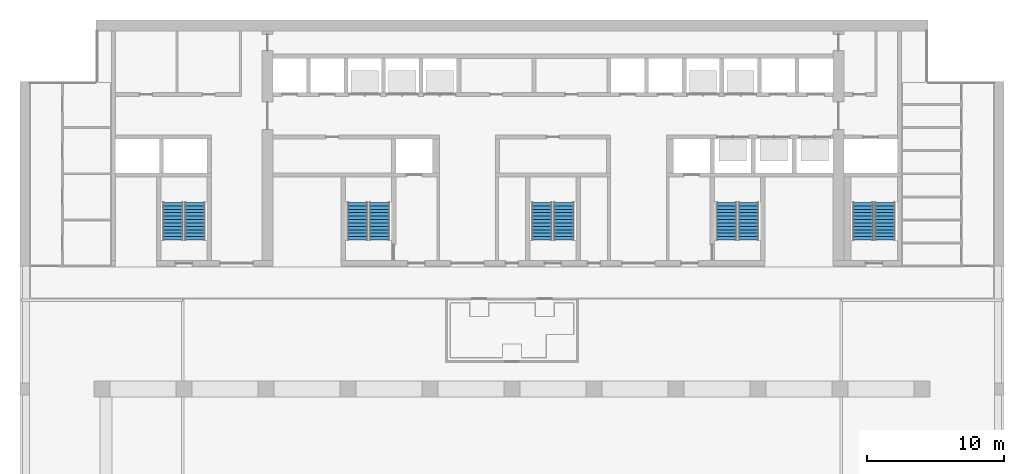
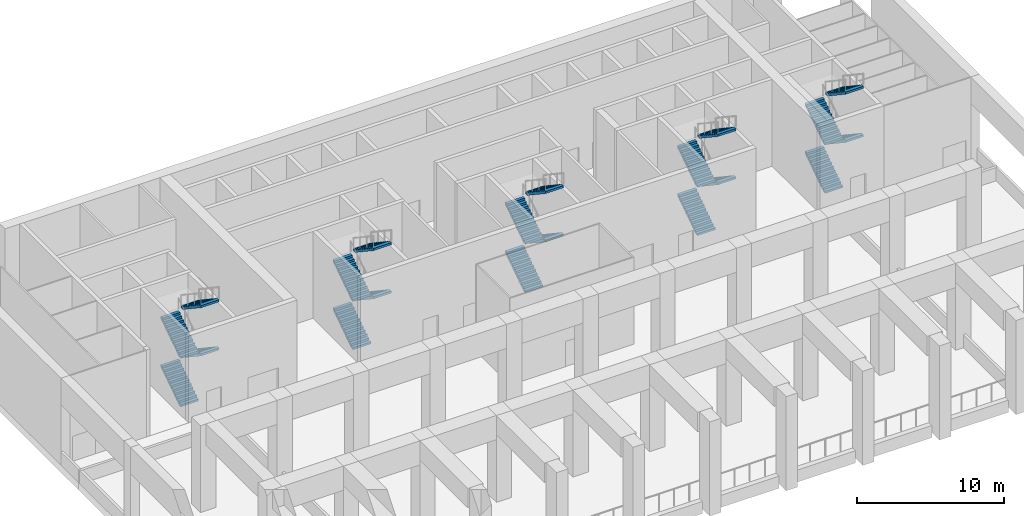
# One storey, part 6 of 10: 20 stair flights, 5 elements without a shape of their own.
"""IFC4 building model written with IfcOpenShell, lengths in metres."""

from ifc_helpers import new_model, si_unit, direction, frame, origin, place, context, subcontext, project, spatial, polyline, outline, extrude, material, type_object, element, aggregate, save


model = new_model("IFC4")

# Units and contexts
model_context = context("Model", 3, precision=1e-05, world=origin(), true_north=direction((0.0, 1.0)))
body_context = subcontext(model_context, "Body", "Model", "MODEL_VIEW")
ifc_project = project(units=[si_unit("LENGTHUNIT", "METRE"), si_unit("AREAUNIT", "SQUARE_METRE"), si_unit("VOLUMEUNIT", "CUBIC_METRE"), si_unit("PLANEANGLEUNIT", "RADIAN"), si_unit("MASSUNIT", "GRAM", prefix="KILO")], contexts=[model_context])

# Site, building, storey
site_placement = place(None, origin())
site = spatial("IfcSite", under=ifc_project, at=site_placement, CompositionType="ELEMENT")
building_placement = place(site_placement, origin())
building = spatial("IfcBuilding", under=site, at=building_placement, Name="Calvaro Tower", CompositionType="ELEMENT")
storey_placement = place(building_placement, frame((0.0, 0.0, 158.75)))
storey = spatial("IfcBuildingStorey", under=building, at=storey_placement, Name="L40", CompositionType="ELEMENT", Elevation=158.75)

# Stair, stair flights
ifc_material_1 = material(Name="Concrete C40/50", Category="concrete")
stair_type = type_object("IfcStairType", Name="Exit stair 1400 4 flights", PredefinedType="DOUBLE_RETURN_STAIR", material=ifc_material_1)
stair_1_placement = place(storey_placement, origin())
stair_1 = element("IfcStair", 1, at=stair_1_placement, inside=storey, type_object=stair_type, Name="Exit stair S1", PredefinedType="DOUBLE_RETURN_STAIR")
ifc_material_2 = material(Name="Concrete C40/50", Category="concrete")
stair_flight_type = type_object("IfcStairFlightType", Name="Stair flight", PredefinedType="STRAIGHT", material=ifc_material_2)
stair_flight_1_placement = place(storey_placement, frame((11.199951171875, 29.89990234375, 0.0), z_axis=(0.0, 0.0, 1.0), x_axis=(0.0, 1.0, 0.0)))
stair_flight_1 = element("IfcStairFlight", 2, at=stair_flight_1_placement, type_object=stair_flight_type, Name="Exit stair 1, flight 1", NumberOfRisers=12, NumberOfTreads=11, PredefinedType="STRAIGHT", RiserHeight=0.166666667, TreadLength=0.25, context=body_context, shape_type="SweptSolid", body=[
    extrude(outline(polyline([(0.0, 0.0), (0.0, 0.166748046875), (0.25, 0.166748046875), (0.25, 0.333251953125), (0.5, 0.333251953125), (0.5, 0.5), (0.75, 0.5), (0.75, 0.666748046875), (1.0, 0.666748046875), (1.0, 0.833251953125), (1.25, 0.833251953125), (1.25, 1.0), (1.5, 1.0), (1.5, 1.166748046875), (1.75, 1.166748046875), (1.75, 1.333251953125), (2.0, 1.333251953125), (2.0, 1.5), (2.25, 1.5), (2.25, 1.666748046875), (2.5, 1.666748046875), (2.5, 1.833251953125), (2.75, 1.833251953125), (2.75, 2.0), (2.75, 1.653076171875), (0.270263671875, 0.0), (0.0, 0.0)])), frame((0.0, 0.699951171875, 0.0), z_axis=(0.0, -1.0, 0.0), x_axis=(1.0, 0.0, 0.0)), (0.0, 0.0, 1.0), 1.39990234375),
])
stair_flight_2_placement = place(storey_placement, frame((12.800048828125, 32.64990234375, 2.0), z_axis=(0.0, 0.0, 1.0), x_axis=(0.0, -1.0, 0.0)))
stair_flight_2 = element("IfcStairFlight", 3, at=stair_flight_2_placement, type_object=stair_flight_type, Name="Exit stair 1, flight 2", NumberOfRisers=12, NumberOfTreads=11, PredefinedType="STRAIGHT", RiserHeight=0.166666667, TreadLength=0.25, context=body_context, shape_type="SweptSolid", body=[
    extrude(outline(polyline([(0.0, 0.0), (0.0, 0.166748046875), (0.25, 0.166748046875), (0.25, 0.333251953125), (0.5, 0.333251953125), (0.5, 0.5), (0.75, 0.5), (0.75, 0.666748046875), (1.0, 0.666748046875), (1.0, 0.833251953125), (1.25, 0.833251953125), (1.25, 1.0), (1.5, 1.0), (1.5, 1.166748046875), (1.75, 1.166748046875), (1.75, 1.333251953125), (2.0, 1.333251953125), (2.0, 1.5), (2.25, 1.5), (2.25, 1.666748046875), (2.5, 1.666748046875), (2.5, 1.833251953125), (2.75, 1.833251953125), (2.75, 2.0), (2.75, 1.653076171875), (0.270263671875, 0.0), (0.0, 0.0)])), frame((0.0, 0.699951171875, 0.0), z_axis=(0.0, -1.0, 0.0), x_axis=(1.0, 0.0, 0.0)), (0.0, 0.0, 1.0), 1.39990234375),
])
stair_flight_3_placement = place(storey_placement, frame((11.199951171875, 29.89990234375, 4.0), z_axis=(0.0, 0.0, 1.0), x_axis=(0.0, 1.0, 0.0)))
stair_flight_3 = element("IfcStairFlight", 4, at=stair_flight_3_placement, type_object=stair_flight_type, Name="Exit stair 1, flight 3", NumberOfRisers=12, NumberOfTreads=11, PredefinedType="STRAIGHT", RiserHeight=0.166666667, TreadLength=0.25, context=body_context, shape_type="SweptSolid", body=[
    extrude(outline(polyline([(0.0, 0.0), (0.0, 0.166748046875), (0.25, 0.166748046875), (0.25, 0.333251953125), (0.5, 0.333251953125), (0.5, 0.5), (0.75, 0.5), (0.75, 0.666748046875), (1.0, 0.666748046875), (1.0, 0.833251953125), (1.25, 0.833251953125), (1.25, 1.0), (1.5, 1.0), (1.5, 1.166748046875), (1.75, 1.166748046875), (1.75, 1.333251953125), (2.0, 1.333251953125), (2.0, 1.5), (2.25, 1.5), (2.25, 1.666748046875), (2.5, 1.666748046875), (2.5, 1.833251953125), (2.75, 1.833251953125), (2.75, 2.0), (2.75, 1.653076171875), (0.270263671875, 0.0), (0.0, 0.0)])), frame((0.0, 0.699951171875, 0.0), z_axis=(0.0, -1.0, 0.0), x_axis=(1.0, 0.0, 0.0)), (0.0, 0.0, 1.0), 1.39990234375),
])
stair_flight_4_placement = place(storey_placement, frame((12.800048828125, 32.64990234375, 6.0), z_axis=(0.0, 0.0, 1.0), x_axis=(0.0, -1.0, 0.0)))
stair_flight_4 = element("IfcStairFlight", 5, at=stair_flight_4_placement, type_object=stair_flight_type, Name="Exit stair 1, flight 4", NumberOfRisers=12, NumberOfTreads=11, PredefinedType="STRAIGHT", RiserHeight=0.166666667, TreadLength=0.25, context=body_context, shape_type="SweptSolid", body=[
    extrude(outline(polyline([(0.0, 0.0), (0.0, 0.166748046875), (0.25, 0.166748046875), (0.25, 0.333251953125), (0.5, 0.333251953125), (0.5, 0.5), (0.75, 0.5), (0.75, 0.666748046875), (1.0, 0.666748046875), (1.0, 0.833251953125), (1.25, 0.833251953125), (1.25, 1.0), (1.5, 1.0), (1.5, 1.166748046875), (1.75, 1.166748046875), (1.75, 1.333251953125), (2.0, 1.333251953125), (2.0, 1.5), (2.25, 1.5), (2.25, 1.666748046875), (2.5, 1.666748046875), (2.5, 1.833251953125), (2.75, 1.833251953125), (2.75, 2.0), (2.75, 1.653076171875), (0.270263671875, 0.0), (0.0, 0.0)])), frame((0.0, 0.699951171875, 0.0), z_axis=(0.0, -1.0, 0.0), x_axis=(1.0, 0.0, 0.0)), (0.0, 0.0, 1.0), 1.39990234375),
])
aggregate(stair_1, [stair_flight_1, stair_flight_2, stair_flight_3, stair_flight_4])

stair_2_placement = place(storey_placement, origin())
stair_2 = element("IfcStair", 6, at=stair_2_placement, inside=storey, type_object=stair_type, Name="Exit stair S2", PredefinedType="DOUBLE_RETURN_STAIR")
stair_flight_5_placement = place(storey_placement, frame((24.699951171875, 29.89990234375, 0.0), z_axis=(0.0, 0.0, 1.0), x_axis=(0.0, 1.0, 0.0)))
stair_flight_5 = element("IfcStairFlight", 7, at=stair_flight_5_placement, type_object=stair_flight_type, Name="Exit stair 2, flight 1", NumberOfRisers=12, NumberOfTreads=11, PredefinedType="STRAIGHT", RiserHeight=0.166666667, TreadLength=0.25, context=body_context, shape_type="SweptSolid", body=[
    extrude(outline(polyline([(0.0, 0.0), (0.0, 0.166748046875), (0.25, 0.166748046875), (0.25, 0.333251953125), (0.5, 0.333251953125), (0.5, 0.5), (0.75, 0.5), (0.75, 0.666748046875), (1.0, 0.666748046875), (1.0, 0.833251953125), (1.25, 0.833251953125), (1.25, 1.0), (1.5, 1.0), (1.5, 1.166748046875), (1.75, 1.166748046875), (1.75, 1.333251953125), (2.0, 1.333251953125), (2.0, 1.5), (2.25, 1.5), (2.25, 1.666748046875), (2.5, 1.666748046875), (2.5, 1.833251953125), (2.75, 1.833251953125), (2.75, 2.0), (2.75, 1.653076171875), (0.270263671875, 0.0), (0.0, 0.0)])), frame((0.0, 0.699951171875, 0.0), z_axis=(0.0, -1.0, 0.0), x_axis=(1.0, 0.0, 0.0)), (0.0, 0.0, 1.0), 1.39990234375),
])
stair_flight_6_placement = place(storey_placement, frame((26.300048828125, 32.64990234375, 2.0), z_axis=(0.0, 0.0, 1.0), x_axis=(0.0, -1.0, 0.0)))
stair_flight_6 = element("IfcStairFlight", 8, at=stair_flight_6_placement, type_object=stair_flight_type, Name="Exit stair 2, flight 2", NumberOfRisers=12, NumberOfTreads=11, PredefinedType="STRAIGHT", RiserHeight=0.166666667, TreadLength=0.25, context=body_context, shape_type="SweptSolid", body=[
    extrude(outline(polyline([(0.0, 0.0), (0.0, 0.166748046875), (0.25, 0.166748046875), (0.25, 0.333251953125), (0.5, 0.333251953125), (0.5, 0.5), (0.75, 0.5), (0.75, 0.666748046875), (1.0, 0.666748046875), (1.0, 0.833251953125), (1.25, 0.833251953125), (1.25, 1.0), (1.5, 1.0), (1.5, 1.166748046875), (1.75, 1.166748046875), (1.75, 1.333251953125), (2.0, 1.333251953125), (2.0, 1.5), (2.25, 1.5), (2.25, 1.666748046875), (2.5, 1.666748046875), (2.5, 1.833251953125), (2.75, 1.833251953125), (2.75, 2.0), (2.75, 1.653076171875), (0.270263671875, 0.0), (0.0, 0.0)])), frame((0.0, 0.699951171875, 0.0), z_axis=(0.0, -1.0, 0.0), x_axis=(1.0, 0.0, 0.0)), (0.0, 0.0, 1.0), 1.39990234375),
])
stair_flight_7_placement = place(storey_placement, frame((24.699951171875, 29.89990234375, 4.0), z_axis=(0.0, 0.0, 1.0), x_axis=(0.0, 1.0, 0.0)))
stair_flight_7 = element("IfcStairFlight", 9, at=stair_flight_7_placement, type_object=stair_flight_type, Name="Exit stair 2, flight 3", NumberOfRisers=12, NumberOfTreads=11, PredefinedType="STRAIGHT", RiserHeight=0.166666667, TreadLength=0.25, context=body_context, shape_type="SweptSolid", body=[
    extrude(outline(polyline([(0.0, 0.0), (0.0, 0.166748046875), (0.25, 0.166748046875), (0.25, 0.333251953125), (0.5, 0.333251953125), (0.5, 0.5), (0.75, 0.5), (0.75, 0.666748046875), (1.0, 0.666748046875), (1.0, 0.833251953125), (1.25, 0.833251953125), (1.25, 1.0), (1.5, 1.0), (1.5, 1.166748046875), (1.75, 1.166748046875), (1.75, 1.333251953125), (2.0, 1.333251953125), (2.0, 1.5), (2.25, 1.5), (2.25, 1.666748046875), (2.5, 1.666748046875), (2.5, 1.833251953125), (2.75, 1.833251953125), (2.75, 2.0), (2.75, 1.653076171875), (0.270263671875, 0.0), (0.0, 0.0)])), frame((0.0, 0.699951171875, 0.0), z_axis=(0.0, -1.0, 0.0), x_axis=(1.0, 0.0, 0.0)), (0.0, 0.0, 1.0), 1.39990234375),
])
stair_flight_8_placement = place(storey_placement, frame((26.300048828125, 32.64990234375, 6.0), z_axis=(0.0, 0.0, 1.0), x_axis=(0.0, -1.0, 0.0)))
stair_flight_8 = element("IfcStairFlight", 10, at=stair_flight_8_placement, type_object=stair_flight_type, Name="Exit stair 2, flight 4", NumberOfRisers=12, NumberOfTreads=11, PredefinedType="STRAIGHT", RiserHeight=0.166666667, TreadLength=0.25, context=body_context, shape_type="SweptSolid", body=[
    extrude(outline(polyline([(0.0, 0.0), (0.0, 0.166748046875), (0.25, 0.166748046875), (0.25, 0.333251953125), (0.5, 0.333251953125), (0.5, 0.5), (0.75, 0.5), (0.75, 0.666748046875), (1.0, 0.666748046875), (1.0, 0.833251953125), (1.25, 0.833251953125), (1.25, 1.0), (1.5, 1.0), (1.5, 1.166748046875), (1.75, 1.166748046875), (1.75, 1.333251953125), (2.0, 1.333251953125), (2.0, 1.5), (2.25, 1.5), (2.25, 1.666748046875), (2.5, 1.666748046875), (2.5, 1.833251953125), (2.75, 1.833251953125), (2.75, 2.0), (2.75, 1.653076171875), (0.270263671875, 0.0), (0.0, 0.0)])), frame((0.0, 0.699951171875, 0.0), z_axis=(0.0, -1.0, 0.0), x_axis=(1.0, 0.0, 0.0)), (0.0, 0.0, 1.0), 1.39990234375),
])
aggregate(stair_2, [stair_flight_5, stair_flight_6, stair_flight_7, stair_flight_8])

stair_3_placement = place(storey_placement, origin())
stair_3 = element("IfcStair", 11, at=stair_3_placement, inside=storey, type_object=stair_type, Name="Exit stair S3", PredefinedType="DOUBLE_RETURN_STAIR")
stair_flight_9_placement = place(storey_placement, frame((38.199951171875, 29.89990234375, 0.0), z_axis=(0.0, 0.0, 1.0), x_axis=(0.0, 1.0, 0.0)))
stair_flight_9 = element("IfcStairFlight", 12, at=stair_flight_9_placement, type_object=stair_flight_type, Name="Exit stair 3, flight 1", NumberOfRisers=12, NumberOfTreads=11, PredefinedType="STRAIGHT", RiserHeight=0.166666667, TreadLength=0.25, context=body_context, shape_type="SweptSolid", body=[
    extrude(outline(polyline([(0.0, 0.0), (0.0, 0.166748046875), (0.25, 0.166748046875), (0.25, 0.333251953125), (0.5, 0.333251953125), (0.5, 0.5), (0.75, 0.5), (0.75, 0.666748046875), (1.0, 0.666748046875), (1.0, 0.833251953125), (1.25, 0.833251953125), (1.25, 1.0), (1.5, 1.0), (1.5, 1.166748046875), (1.75, 1.166748046875), (1.75, 1.333251953125), (2.0, 1.333251953125), (2.0, 1.5), (2.25, 1.5), (2.25, 1.666748046875), (2.5, 1.666748046875), (2.5, 1.833251953125), (2.75, 1.833251953125), (2.75, 2.0), (2.75, 1.653076171875), (0.270263671875, 0.0), (0.0, 0.0)])), frame((0.0, 0.699951171875, 0.0), z_axis=(0.0, -1.0, 0.0), x_axis=(1.0, 0.0, 0.0)), (0.0, 0.0, 1.0), 1.39990234375),
])
stair_flight_10_placement = place(storey_placement, frame((39.800048828125, 32.64990234375, 2.0), z_axis=(0.0, 0.0, 1.0), x_axis=(0.0, -1.0, 0.0)))
stair_flight_10 = element("IfcStairFlight", 13, at=stair_flight_10_placement, type_object=stair_flight_type, Name="Exit stair 3, flight 2", NumberOfRisers=12, NumberOfTreads=11, PredefinedType="STRAIGHT", RiserHeight=0.166666667, TreadLength=0.25, context=body_context, shape_type="SweptSolid", body=[
    extrude(outline(polyline([(0.0, 0.0), (0.0, 0.166748046875), (0.25, 0.166748046875), (0.25, 0.333251953125), (0.5, 0.333251953125), (0.5, 0.5), (0.75, 0.5), (0.75, 0.666748046875), (1.0, 0.666748046875), (1.0, 0.833251953125), (1.25, 0.833251953125), (1.25, 1.0), (1.5, 1.0), (1.5, 1.166748046875), (1.75, 1.166748046875), (1.75, 1.333251953125), (2.0, 1.333251953125), (2.0, 1.5), (2.25, 1.5), (2.25, 1.666748046875), (2.5, 1.666748046875), (2.5, 1.833251953125), (2.75, 1.833251953125), (2.75, 2.0), (2.75, 1.653076171875), (0.270263671875, 0.0), (0.0, 0.0)])), frame((0.0, 0.699951171875, 0.0), z_axis=(0.0, -1.0, 0.0), x_axis=(1.0, 0.0, 0.0)), (0.0, 0.0, 1.0), 1.39990234375),
])
stair_flight_11_placement = place(storey_placement, frame((38.199951171875, 29.89990234375, 4.0), z_axis=(0.0, 0.0, 1.0), x_axis=(0.0, 1.0, 0.0)))
stair_flight_11 = element("IfcStairFlight", 14, at=stair_flight_11_placement, type_object=stair_flight_type, Name="Exit stair 3, flight 3", NumberOfRisers=12, NumberOfTreads=11, PredefinedType="STRAIGHT", RiserHeight=0.166666667, TreadLength=0.25, context=body_context, shape_type="SweptSolid", body=[
    extrude(outline(polyline([(0.0, 0.0), (0.0, 0.166748046875), (0.25, 0.166748046875), (0.25, 0.333251953125), (0.5, 0.333251953125), (0.5, 0.5), (0.75, 0.5), (0.75, 0.666748046875), (1.0, 0.666748046875), (1.0, 0.833251953125), (1.25, 0.833251953125), (1.25, 1.0), (1.5, 1.0), (1.5, 1.166748046875), (1.75, 1.166748046875), (1.75, 1.333251953125), (2.0, 1.333251953125), (2.0, 1.5), (2.25, 1.5), (2.25, 1.666748046875), (2.5, 1.666748046875), (2.5, 1.833251953125), (2.75, 1.833251953125), (2.75, 2.0), (2.75, 1.653076171875), (0.270263671875, 0.0), (0.0, 0.0)])), frame((0.0, 0.699951171875, 0.0), z_axis=(0.0, -1.0, 0.0), x_axis=(1.0, 0.0, 0.0)), (0.0, 0.0, 1.0), 1.39990234375),
])
stair_flight_12_placement = place(storey_placement, frame((39.800048828125, 32.64990234375, 6.0), z_axis=(0.0, 0.0, 1.0), x_axis=(0.0, -1.0, 0.0)))
stair_flight_12 = element("IfcStairFlight", 15, at=stair_flight_12_placement, type_object=stair_flight_type, Name="Exit stair 3, flight 4", NumberOfRisers=12, NumberOfTreads=11, PredefinedType="STRAIGHT", RiserHeight=0.166666667, TreadLength=0.25, context=body_context, shape_type="SweptSolid", body=[
    extrude(outline(polyline([(0.0, 0.0), (0.0, 0.166748046875), (0.25, 0.166748046875), (0.25, 0.333251953125), (0.5, 0.333251953125), (0.5, 0.5), (0.75, 0.5), (0.75, 0.666748046875), (1.0, 0.666748046875), (1.0, 0.833251953125), (1.25, 0.833251953125), (1.25, 1.0), (1.5, 1.0), (1.5, 1.166748046875), (1.75, 1.166748046875), (1.75, 1.333251953125), (2.0, 1.333251953125), (2.0, 1.5), (2.25, 1.5), (2.25, 1.666748046875), (2.5, 1.666748046875), (2.5, 1.833251953125), (2.75, 1.833251953125), (2.75, 2.0), (2.75, 1.653076171875), (0.270263671875, 0.0), (0.0, 0.0)])), frame((0.0, 0.699951171875, 0.0), z_axis=(0.0, -1.0, 0.0), x_axis=(1.0, 0.0, 0.0)), (0.0, 0.0, 1.0), 1.39990234375),
])
aggregate(stair_3, [stair_flight_9, stair_flight_10, stair_flight_11, stair_flight_12])

stair_4_placement = place(storey_placement, origin())
stair_4 = element("IfcStair", 16, at=stair_4_placement, inside=storey, type_object=stair_type, Name="Exit stair S4", PredefinedType="DOUBLE_RETURN_STAIR")
stair_flight_13_placement = place(storey_placement, frame((51.699951171875, 29.89990234375, 0.0), z_axis=(0.0, 0.0, 1.0), x_axis=(0.0, 1.0, 0.0)))
stair_flight_13 = element("IfcStairFlight", 17, at=stair_flight_13_placement, type_object=stair_flight_type, Name="Exit stair 4, flight 1", NumberOfRisers=12, NumberOfTreads=11, PredefinedType="STRAIGHT", RiserHeight=0.166666667, TreadLength=0.25, context=body_context, shape_type="SweptSolid", body=[
    extrude(outline(polyline([(0.0, 0.0), (0.0, 0.166748046875), (0.25, 0.166748046875), (0.25, 0.333251953125), (0.5, 0.333251953125), (0.5, 0.5), (0.75, 0.5), (0.75, 0.666748046875), (1.0, 0.666748046875), (1.0, 0.833251953125), (1.25, 0.833251953125), (1.25, 1.0), (1.5, 1.0), (1.5, 1.166748046875), (1.75, 1.166748046875), (1.75, 1.333251953125), (2.0, 1.333251953125), (2.0, 1.5), (2.25, 1.5), (2.25, 1.666748046875), (2.5, 1.666748046875), (2.5, 1.833251953125), (2.75, 1.833251953125), (2.75, 2.0), (2.75, 1.653076171875), (0.270263671875, 0.0), (0.0, 0.0)])), frame((0.0, 0.699951171875, 0.0), z_axis=(0.0, -1.0, 0.0), x_axis=(1.0, 0.0, 0.0)), (0.0, 0.0, 1.0), 1.39990234375),
])
stair_flight_14_placement = place(storey_placement, frame((53.300048828125, 32.64990234375, 2.0), z_axis=(0.0, 0.0, 1.0), x_axis=(0.0, -1.0, 0.0)))
stair_flight_14 = element("IfcStairFlight", 18, at=stair_flight_14_placement, type_object=stair_flight_type, Name="Exit stair 4, flight 2", NumberOfRisers=12, NumberOfTreads=11, PredefinedType="STRAIGHT", RiserHeight=0.166666667, TreadLength=0.25, context=body_context, shape_type="SweptSolid", body=[
    extrude(outline(polyline([(0.0, 0.0), (0.0, 0.166748046875), (0.25, 0.166748046875), (0.25, 0.333251953125), (0.5, 0.333251953125), (0.5, 0.5), (0.75, 0.5), (0.75, 0.666748046875), (1.0, 0.666748046875), (1.0, 0.833251953125), (1.25, 0.833251953125), (1.25, 1.0), (1.5, 1.0), (1.5, 1.166748046875), (1.75, 1.166748046875), (1.75, 1.333251953125), (2.0, 1.333251953125), (2.0, 1.5), (2.25, 1.5), (2.25, 1.666748046875), (2.5, 1.666748046875), (2.5, 1.833251953125), (2.75, 1.833251953125), (2.75, 2.0), (2.75, 1.653076171875), (0.270263671875, 0.0), (0.0, 0.0)])), frame((0.0, 0.699951171875, 0.0), z_axis=(0.0, -1.0, 0.0), x_axis=(1.0, 0.0, 0.0)), (0.0, 0.0, 1.0), 1.39990234375),
])
stair_flight_15_placement = place(storey_placement, frame((51.699951171875, 29.89990234375, 4.0), z_axis=(0.0, 0.0, 1.0), x_axis=(0.0, 1.0, 0.0)))
stair_flight_15 = element("IfcStairFlight", 19, at=stair_flight_15_placement, type_object=stair_flight_type, Name="Exit stair 4, flight 3", NumberOfRisers=12, NumberOfTreads=11, PredefinedType="STRAIGHT", RiserHeight=0.166666667, TreadLength=0.25, context=body_context, shape_type="SweptSolid", body=[
    extrude(outline(polyline([(0.0, 0.0), (0.0, 0.166748046875), (0.25, 0.166748046875), (0.25, 0.333251953125), (0.5, 0.333251953125), (0.5, 0.5), (0.75, 0.5), (0.75, 0.666748046875), (1.0, 0.666748046875), (1.0, 0.833251953125), (1.25, 0.833251953125), (1.25, 1.0), (1.5, 1.0), (1.5, 1.166748046875), (1.75, 1.166748046875), (1.75, 1.333251953125), (2.0, 1.333251953125), (2.0, 1.5), (2.25, 1.5), (2.25, 1.666748046875), (2.5, 1.666748046875), (2.5, 1.833251953125), (2.75, 1.833251953125), (2.75, 2.0), (2.75, 1.653076171875), (0.270263671875, 0.0), (0.0, 0.0)])), frame((0.0, 0.699951171875, 0.0), z_axis=(0.0, -1.0, 0.0), x_axis=(1.0, 0.0, 0.0)), (0.0, 0.0, 1.0), 1.39990234375),
])
stair_flight_16_placement = place(storey_placement, frame((53.300048828125, 32.64990234375, 6.0), z_axis=(0.0, 0.0, 1.0), x_axis=(0.0, -1.0, 0.0)))
stair_flight_16 = element("IfcStairFlight", 20, at=stair_flight_16_placement, type_object=stair_flight_type, Name="Exit stair 4, flight 4", NumberOfRisers=12, NumberOfTreads=11, PredefinedType="STRAIGHT", RiserHeight=0.166666667, TreadLength=0.25, context=body_context, shape_type="SweptSolid", body=[
    extrude(outline(polyline([(0.0, 0.0), (0.0, 0.166748046875), (0.25, 0.166748046875), (0.25, 0.333251953125), (0.5, 0.333251953125), (0.5, 0.5), (0.75, 0.5), (0.75, 0.666748046875), (1.0, 0.666748046875), (1.0, 0.833251953125), (1.25, 0.833251953125), (1.25, 1.0), (1.5, 1.0), (1.5, 1.166748046875), (1.75, 1.166748046875), (1.75, 1.333251953125), (2.0, 1.333251953125), (2.0, 1.5), (2.25, 1.5), (2.25, 1.666748046875), (2.5, 1.666748046875), (2.5, 1.833251953125), (2.75, 1.833251953125), (2.75, 2.0), (2.75, 1.653076171875), (0.270263671875, 0.0), (0.0, 0.0)])), frame((0.0, 0.699951171875, 0.0), z_axis=(0.0, -1.0, 0.0), x_axis=(1.0, 0.0, 0.0)), (0.0, 0.0, 1.0), 1.39990234375),
])
aggregate(stair_4, [stair_flight_13, stair_flight_14, stair_flight_15, stair_flight_16])

stair_5_placement = place(storey_placement, origin())
stair_5 = element("IfcStair", 21, at=stair_5_placement, inside=storey, type_object=stair_type, Name="Exit stair S5", PredefinedType="DOUBLE_RETURN_STAIR")
stair_flight_17_placement = place(storey_placement, frame((61.699951171875, 29.89990234375, 0.0), z_axis=(0.0, 0.0, 1.0), x_axis=(0.0, 1.0, 0.0)))
stair_flight_17 = element("IfcStairFlight", 22, at=stair_flight_17_placement, type_object=stair_flight_type, Name="Exit stair 5, flight 1", NumberOfRisers=12, NumberOfTreads=11, PredefinedType="STRAIGHT", RiserHeight=0.166666667, TreadLength=0.25, context=body_context, shape_type="SweptSolid", body=[
    extrude(outline(polyline([(0.0, 0.0), (0.0, 0.166748046875), (0.25, 0.166748046875), (0.25, 0.333251953125), (0.5, 0.333251953125), (0.5, 0.5), (0.75, 0.5), (0.75, 0.666748046875), (1.0, 0.666748046875), (1.0, 0.833251953125), (1.25, 0.833251953125), (1.25, 1.0), (1.5, 1.0), (1.5, 1.166748046875), (1.75, 1.166748046875), (1.75, 1.333251953125), (2.0, 1.333251953125), (2.0, 1.5), (2.25, 1.5), (2.25, 1.666748046875), (2.5, 1.666748046875), (2.5, 1.833251953125), (2.75, 1.833251953125), (2.75, 2.0), (2.75, 1.653076171875), (0.270263671875, 0.0), (0.0, 0.0)])), frame((0.0, 0.699951171875, 0.0), z_axis=(0.0, -1.0, 0.0), x_axis=(1.0, 0.0, 0.0)), (0.0, 0.0, 1.0), 1.39990234375),
])
stair_flight_18_placement = place(storey_placement, frame((63.300048828125, 32.64990234375, 2.0), z_axis=(0.0, 0.0, 1.0), x_axis=(0.0, -1.0, 0.0)))
stair_flight_18 = element("IfcStairFlight", 23, at=stair_flight_18_placement, type_object=stair_flight_type, Name="Exit stair 5, flight 2", NumberOfRisers=12, NumberOfTreads=11, PredefinedType="STRAIGHT", RiserHeight=0.166666667, TreadLength=0.25, context=body_context, shape_type="SweptSolid", body=[
    extrude(outline(polyline([(0.0, 0.0), (0.0, 0.166748046875), (0.25, 0.166748046875), (0.25, 0.333251953125), (0.5, 0.333251953125), (0.5, 0.5), (0.75, 0.5), (0.75, 0.666748046875), (1.0, 0.666748046875), (1.0, 0.833251953125), (1.25, 0.833251953125), (1.25, 1.0), (1.5, 1.0), (1.5, 1.166748046875), (1.75, 1.166748046875), (1.75, 1.333251953125), (2.0, 1.333251953125), (2.0, 1.5), (2.25, 1.5), (2.25, 1.666748046875), (2.5, 1.666748046875), (2.5, 1.833251953125), (2.75, 1.833251953125), (2.75, 2.0), (2.75, 1.653076171875), (0.270263671875, 0.0), (0.0, 0.0)])), frame((0.0, 0.699951171875, 0.0), z_axis=(0.0, -1.0, 0.0), x_axis=(1.0, 0.0, 0.0)), (0.0, 0.0, 1.0), 1.39990234375),
])
stair_flight_19_placement = place(storey_placement, frame((61.699951171875, 29.89990234375, 4.0), z_axis=(0.0, 0.0, 1.0), x_axis=(0.0, 1.0, 0.0)))
stair_flight_19 = element("IfcStairFlight", 24, at=stair_flight_19_placement, type_object=stair_flight_type, Name="Exit stair 5, flight 3", NumberOfRisers=12, NumberOfTreads=11, PredefinedType="STRAIGHT", RiserHeight=0.166666667, TreadLength=0.25, context=body_context, shape_type="SweptSolid", body=[
    extrude(outline(polyline([(0.0, 0.0), (0.0, 0.166748046875), (0.25, 0.166748046875), (0.25, 0.333251953125), (0.5, 0.333251953125), (0.5, 0.5), (0.75, 0.5), (0.75, 0.666748046875), (1.0, 0.666748046875), (1.0, 0.833251953125), (1.25, 0.833251953125), (1.25, 1.0), (1.5, 1.0), (1.5, 1.166748046875), (1.75, 1.166748046875), (1.75, 1.333251953125), (2.0, 1.333251953125), (2.0, 1.5), (2.25, 1.5), (2.25, 1.666748046875), (2.5, 1.666748046875), (2.5, 1.833251953125), (2.75, 1.833251953125), (2.75, 2.0), (2.75, 1.653076171875), (0.270263671875, 0.0), (0.0, 0.0)])), frame((0.0, 0.699951171875, 0.0), z_axis=(0.0, -1.0, 0.0), x_axis=(1.0, 0.0, 0.0)), (0.0, 0.0, 1.0), 1.39990234375),
])
stair_flight_20_placement = place(storey_placement, frame((63.300048828125, 32.64990234375, 6.0), z_axis=(0.0, 0.0, 1.0), x_axis=(0.0, -1.0, 0.0)))
stair_flight_20 = element("IfcStairFlight", 25, at=stair_flight_20_placement, type_object=stair_flight_type, Name="Exit stair 5, flight 4", NumberOfRisers=12, NumberOfTreads=11, PredefinedType="STRAIGHT", RiserHeight=0.166666667, TreadLength=0.25, context=body_context, shape_type="SweptSolid", body=[
    extrude(outline(polyline([(0.0, 0.0), (0.0, 0.166748046875), (0.25, 0.166748046875), (0.25, 0.333251953125), (0.5, 0.333251953125), (0.5, 0.5), (0.75, 0.5), (0.75, 0.666748046875), (1.0, 0.666748046875), (1.0, 0.833251953125), (1.25, 0.833251953125), (1.25, 1.0), (1.5, 1.0), (1.5, 1.166748046875), (1.75, 1.166748046875), (1.75, 1.333251953125), (2.0, 1.333251953125), (2.0, 1.5), (2.25, 1.5), (2.25, 1.666748046875), (2.5, 1.666748046875), (2.5, 1.833251953125), (2.75, 1.833251953125), (2.75, 2.0), (2.75, 1.653076171875), (0.270263671875, 0.0), (0.0, 0.0)])), frame((0.0, 0.699951171875, 0.0), z_axis=(0.0, -1.0, 0.0), x_axis=(1.0, 0.0, 0.0)), (0.0, 0.0, 1.0), 1.39990234375),
])
aggregate(stair_5, [stair_flight_17, stair_flight_18, stair_flight_19, stair_flight_20])

save(model, "model.ifc")
